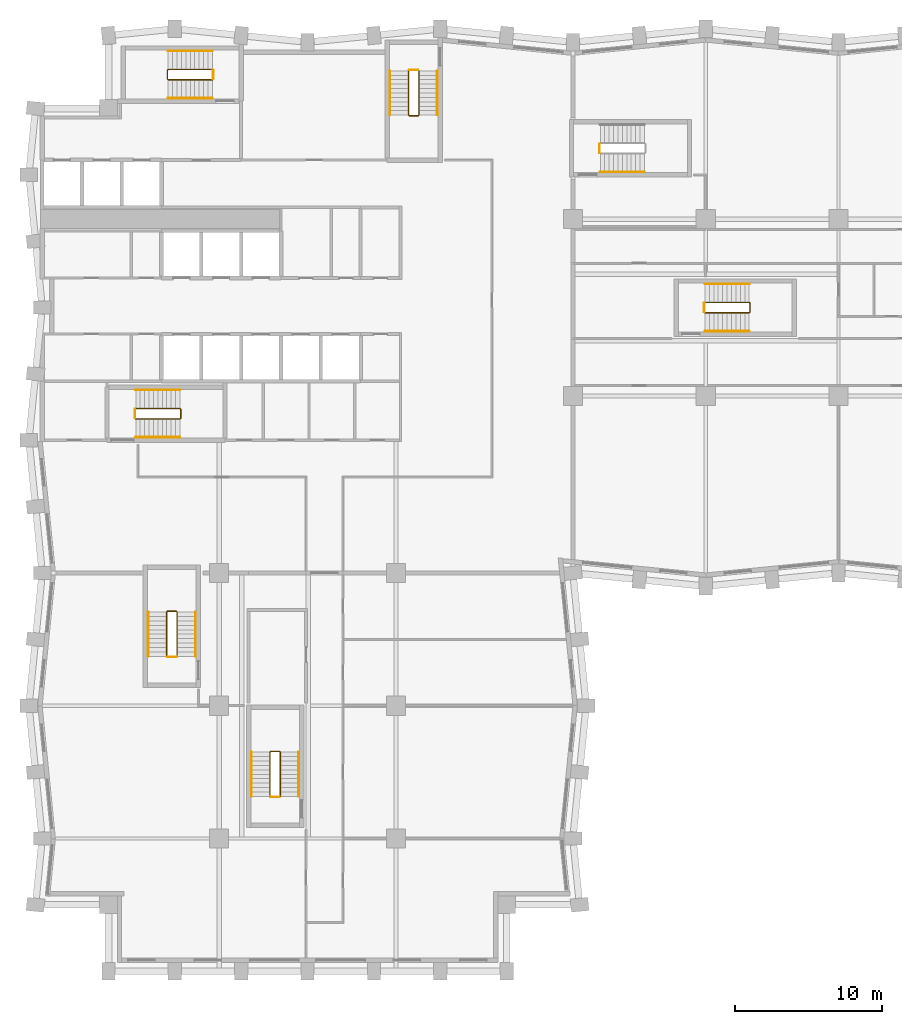
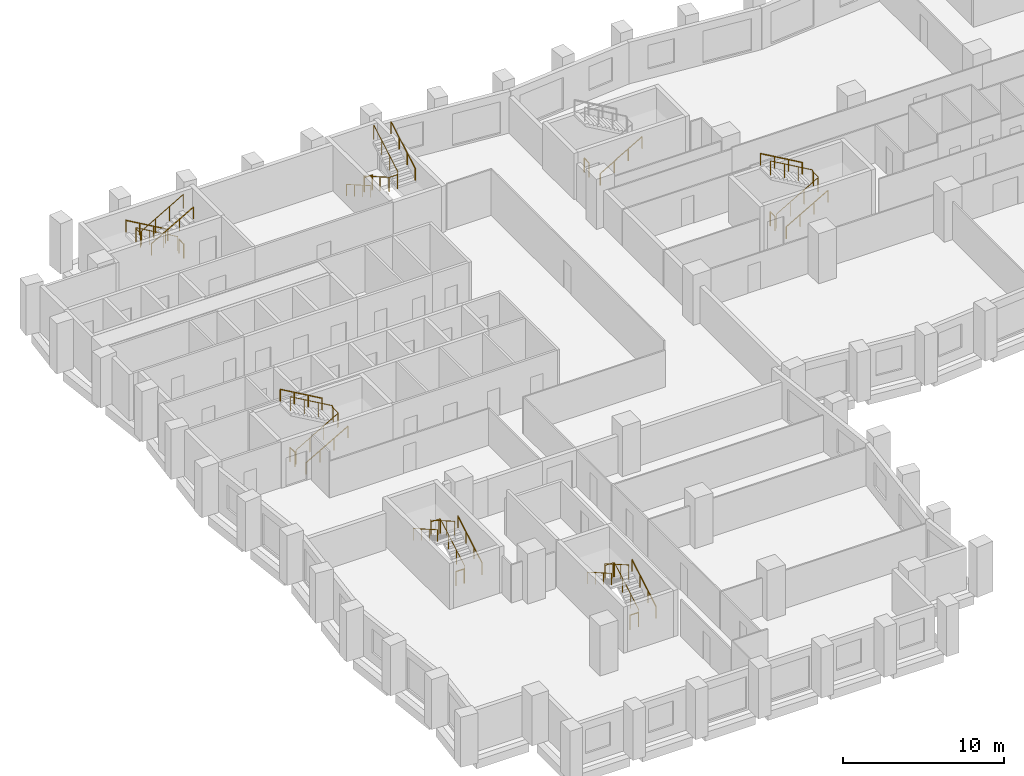
# One storey, part 10 of 11: 26 railings.
"""IFC4 building model written with IfcOpenShell, lengths in metres."""

from ifc_helpers import new_model, si_unit, direction, frame, origin, origin_2d, place, context, subcontext, project, spatial, circle, extrude, material, type_object, element, save


model = new_model("IFC4")

# Units and contexts
model_context = context("Model", 3, precision=1e-05, world=origin(), true_north=direction((0.0, 1.0)))
body_context = subcontext(model_context, "Body", "Model", "MODEL_VIEW")
ifc_project = project(units=[si_unit("LENGTHUNIT", "METRE"), si_unit("AREAUNIT", "SQUARE_METRE"), si_unit("VOLUMEUNIT", "CUBIC_METRE"), si_unit("PLANEANGLEUNIT", "RADIAN"), si_unit("MASSUNIT", "GRAM", prefix="KILO")], contexts=[model_context])

# Site, building, storey
site_placement = place(None, origin())
site = spatial("IfcSite", under=ifc_project, at=site_placement, CompositionType="ELEMENT")
building_placement = place(site_placement, origin())
building = spatial("IfcBuilding", under=site, at=building_placement, Name="Brondeck Convention Tower", CompositionType="ELEMENT")
storey_placement = place(building_placement, frame((0.0, 0.0, 103.699951171875)))
storey = spatial("IfcBuildingStorey", under=building, at=storey_placement, Name="L24", CompositionType="ELEMENT", Elevation=103.699951171875)

# Railings
ifc_material = material(Name="Steel S355", Category="steel")
railing_type_1 = type_object("IfcRailingType", Name="Stair guard 1100", PredefinedType="GUARDRAIL", material=ifc_material)
railing_1_placement = place(storey_placement, frame((6.35009765625, 37.449951171875, 0.1728515625)))
element("IfcRailing", 1, at=railing_1_placement, inside=storey, type_object=railing_type_1, Name="L24 ST-1 stair guard 1", PredefinedType="GUARDRAIL", context=body_context, shape_type="SweptSolid", body=[
    extrude(circle(Radius=0.02392578125, at=origin_2d()), frame((0.0, 0.0, 1.076171875), z_axis=(0.866619684472, 0.0, 0.498969260062), x_axis=(0.0, 1.0, 0.0)), (0.0, 0.0, 1.0), 3.461669921875),
    extrude(circle(Radius=0.02392578125, at=origin_2d()), frame((3.0, 0.0, 2.80322265625), z_axis=(0.705375805398, 0.708833529934, 0.0), x_axis=(-0.708833529934, 0.705375805398, 0.0)), (0.0, 0.0, 1.0), 0.070556640625),
    extrude(circle(Radius=0.02392578125, at=origin_2d()), frame((3.0498046875, 0.050048828125, 2.80322265625), z_axis=(0.0, 1.0, 0.0), x_axis=(-1.0, 0.0, 0.0)), (0.0, 0.0, 1.0), 0.60009765625),
    extrude(circle(Radius=0.02392578125, at=origin_2d()), frame((3.0498046875, 0.650146484375, 2.80322265625), z_axis=(-0.26715648603, 0.26715648603, 0.925880566782), x_axis=(-0.707106781187, -0.707106781187, 0.0)), (0.0, 0.0, 1.0), 0.1865234375),
    extrude(circle(Radius=0.02392578125, at=origin_2d()), frame((3.0, 0.699951171875, 2.97607421875), z_axis=(-0.866619684472, 0.0, 0.498969260062), x_axis=(0.0, -1.0, 0.0)), (0.0, 0.0, 1.0), 3.461669921875),
    extrude(circle(Radius=0.02099609375, at=origin_2d()), origin(), (0.0, 0.0, 1.0), 1.052001953125),
    extrude(circle(Radius=0.02099609375, at=origin_2d()), frame((1.0, 0.0, 0.57568359375)), (0.0, 0.0, 1.0), 1.052001953125),
    extrude(circle(Radius=0.02099609375, at=origin_2d()), frame((2.0, 0.0, 1.151611328125)), (0.0, 0.0, 1.0), 1.052001953125),
    extrude(circle(Radius=0.02099609375, at=origin_2d()), frame((3.0, 0.0, 1.727294921875)), (0.0, 0.0, 1.0), 1.052001953125),
    extrude(circle(Radius=0.02099609375, at=origin_2d()), frame((3.0498046875, 0.050048828125, 1.727294921875)), (0.0, 0.0, 1.0), 1.052001953125),
    extrude(circle(Radius=0.02099609375, at=origin_2d()), frame((3.0498046875, 0.650146484375, 1.727294921875)), (0.0, 0.0, 1.0), 1.052001953125),
    extrude(circle(Radius=0.02099609375, at=origin_2d()), frame((3.0, 0.699951171875, 1.89990234375)), (0.0, 0.0, 1.0), 1.052001953125),
    extrude(circle(Radius=0.02099609375, at=origin_2d()), frame((2.0, 0.699951171875, 2.4755859375)), (0.0, 0.0, 1.0), 1.052001953125),
    extrude(circle(Radius=0.02099609375, at=origin_2d()), frame((1.0, 0.699951171875, 3.051513671875)), (0.0, 0.0, 1.0), 1.052001953125),
    extrude(circle(Radius=0.02099609375, at=origin_2d()), frame((0.0, 0.699951171875, 3.627197265625)), (0.0, 0.0, 1.0), 1.052001953125),
])
railing_2_placement = place(storey_placement, frame((6.300048828125, 37.5, 0.0)))
element("IfcRailing", 2, at=railing_2_placement, inside=storey, type_object=railing_type_1, Name="L24 ST-1 stair guard 2", PredefinedType="GUARDRAIL", context=body_context, shape_type="SweptSolid", body=[
    extrude(circle(Radius=0.02392578125, at=origin_2d()), frame((0.0, 0.0, 1.076171875), z_axis=(0.0, 1.0, 0.0), x_axis=(-1.0, 0.0, 0.0)), (0.0, 0.0, 1.0), 0.60009765625),
    extrude(circle(Radius=0.02099609375, at=origin_2d()), origin(), (0.0, 0.0, 1.0), 1.052001953125),
    extrude(circle(Radius=0.02099609375, at=origin_2d()), frame((0.0, 0.60009765625, 0.0)), (0.0, 0.0, 1.0), 1.052001953125),
])
railing_3_placement = place(storey_placement, frame((24.85009765625, 61.050048828125, 0.1728515625)))
element("IfcRailing", 3, at=railing_3_placement, inside=storey, type_object=railing_type_1, Name="L24 ST-2 stair guard 1", PredefinedType="GUARDRAIL", context=body_context, shape_type="SweptSolid", body=[
    extrude(circle(Radius=0.02392578125, at=origin_2d()), frame((0.0, 0.0, 1.076171875), z_axis=(0.0, -0.866619684472, 0.498969260062), x_axis=(1.0, 0.0, 0.0)), (0.0, 0.0, 1.0), 3.461669921875),
    extrude(circle(Radius=0.02392578125, at=origin_2d()), frame((0.0, -3.0, 2.80322265625), z_axis=(0.705375805398, -0.708833529934, 0.0), x_axis=(0.708833529934, 0.705375805398, 0.0)), (0.0, 0.0, 1.0), 0.070556640625),
    extrude(circle(Radius=0.02392578125, at=origin_2d()), frame((0.0498046875, -3.050048828125, 2.80322265625), z_axis=(1.0, 0.0, 0.0), x_axis=(0.0, 1.0, 0.0)), (0.0, 0.0, 1.0), 0.60009765625),
    extrude(circle(Radius=0.02392578125, at=origin_2d()), frame((0.64990234375, -3.050048828125, 2.80322265625), z_axis=(0.268277960024, 0.268277960024, 0.925231793839), x_axis=(-0.707106781187, 0.707106781187, 0.0)), (0.0, 0.0, 1.0), 0.1865234375),
    extrude(circle(Radius=0.02392578125, at=origin_2d()), frame((0.699951171875, -3.0, 2.97607421875), z_axis=(0.0, 0.866619684472, 0.498969260062), x_axis=(-1.0, 0.0, 0.0)), (0.0, 0.0, 1.0), 3.461669921875),
    extrude(circle(Radius=0.02099609375, at=origin_2d()), origin(), (0.0, 0.0, 1.0), 1.052001953125),
    extrude(circle(Radius=0.02099609375, at=origin_2d()), frame((0.0, -1.0, 0.57568359375)), (0.0, 0.0, 1.0), 1.052001953125),
    extrude(circle(Radius=0.02099609375, at=origin_2d()), frame((0.0, -2.0, 1.151611328125)), (0.0, 0.0, 1.0), 1.052001953125),
    extrude(circle(Radius=0.02099609375, at=origin_2d()), frame((0.0, -3.0, 1.727294921875)), (0.0, 0.0, 1.0), 1.052001953125),
    extrude(circle(Radius=0.02099609375, at=origin_2d()), frame((0.0498046875, -3.050048828125, 1.727294921875)), (0.0, 0.0, 1.0), 1.052001953125),
    extrude(circle(Radius=0.02099609375, at=origin_2d()), frame((0.64990234375, -3.050048828125, 1.727294921875)), (0.0, 0.0, 1.0), 1.052001953125),
    extrude(circle(Radius=0.02099609375, at=origin_2d()), frame((0.699951171875, -3.0, 1.89990234375)), (0.0, 0.0, 1.0), 1.052001953125),
    extrude(circle(Radius=0.02099609375, at=origin_2d()), frame((0.699951171875, -2.0, 2.4755859375)), (0.0, 0.0, 1.0), 1.052001953125),
    extrude(circle(Radius=0.02099609375, at=origin_2d()), frame((0.699951171875, -1.0, 3.051513671875)), (0.0, 0.0, 1.0), 1.052001953125),
    extrude(circle(Radius=0.02099609375, at=origin_2d()), frame((0.699951171875, 0.0, 3.627197265625)), (0.0, 0.0, 1.0), 1.052001953125),
])
railing_4_placement = place(storey_placement, frame((24.89990234375, 61.10009765625, 0.0)))
element("IfcRailing", 4, at=railing_4_placement, inside=storey, type_object=railing_type_1, Name="L24 ST-2 stair guard 2", PredefinedType="GUARDRAIL", context=body_context, shape_type="SweptSolid", body=[
    extrude(circle(Radius=0.02392578125, at=origin_2d()), frame((0.0, 0.0, 1.076171875), z_axis=(1.0, 0.0, 0.0), x_axis=(0.0, 1.0, 0.0)), (0.0, 0.0, 1.0), 0.60009765625),
    extrude(circle(Radius=0.02099609375, at=origin_2d()), origin(), (0.0, 0.0, 1.0), 1.052001953125),
    extrude(circle(Radius=0.02099609375, at=origin_2d()), frame((0.60009765625, 0.0, 0.0)), (0.0, 0.0, 1.0), 1.052001953125),
])
railing_5_placement = place(storey_placement, frame((11.550048828125, 61.14990234375, 0.1728515625)))
element("IfcRailing", 5, at=railing_5_placement, inside=storey, type_object=railing_type_1, Name="L24 ST-3 stair guard 1", PredefinedType="GUARDRAIL", context=body_context, shape_type="SweptSolid", body=[
    extrude(circle(Radius=0.02392578125, at=origin_2d()), frame((0.0, 0.0, 1.076171875), z_axis=(-0.866619684472, 0.0, 0.498969260062), x_axis=(0.0, -1.0, 0.0)), (0.0, 0.0, 1.0), 3.461669921875),
    extrude(circle(Radius=0.02392578125, at=origin_2d()), frame((-3.0, 0.0, 2.80322265625), z_axis=(-0.708833529934, -0.705375805398, 0.0), x_axis=(0.705375805398, -0.708833529934, 0.0)), (0.0, 0.0, 1.0), 0.070556640625),
    extrude(circle(Radius=0.02392578125, at=origin_2d()), frame((-3.050048828125, -0.0498046875, 2.80322265625), z_axis=(0.0, -1.0, 0.0), x_axis=(1.0, 0.0, 0.0)), (0.0, 0.0, 1.0), 0.60009765625),
    extrude(circle(Radius=0.02392578125, at=origin_2d()), frame((-3.050048828125, -0.64990234375, 2.80322265625), z_axis=(0.268277960024, -0.268277960024, 0.925231793839), x_axis=(0.707106781187, 0.707106781187, 0.0)), (0.0, 0.0, 1.0), 0.1865234375),
    extrude(circle(Radius=0.02392578125, at=origin_2d()), frame((-3.0, -0.699951171875, 2.97607421875), z_axis=(0.866619684472, 0.0, 0.498969260062), x_axis=(0.0, 1.0, 0.0)), (0.0, 0.0, 1.0), 3.461669921875),
    extrude(circle(Radius=0.02099609375, at=origin_2d()), origin(), (0.0, 0.0, 1.0), 1.052001953125),
    extrude(circle(Radius=0.02099609375, at=origin_2d()), frame((-1.0, 0.0, 0.57568359375)), (0.0, 0.0, 1.0), 1.052001953125),
    extrude(circle(Radius=0.02099609375, at=origin_2d()), frame((-2.0, 0.0, 1.151611328125)), (0.0, 0.0, 1.0), 1.052001953125),
    extrude(circle(Radius=0.02099609375, at=origin_2d()), frame((-3.0, 0.0, 1.727294921875)), (0.0, 0.0, 1.0), 1.052001953125),
    extrude(circle(Radius=0.02099609375, at=origin_2d()), frame((-3.050048828125, -0.0498046875, 1.727294921875)), (0.0, 0.0, 1.0), 1.052001953125),
    extrude(circle(Radius=0.02099609375, at=origin_2d()), frame((-3.050048828125, -0.64990234375, 1.727294921875)), (0.0, 0.0, 1.0), 1.052001953125),
    extrude(circle(Radius=0.02099609375, at=origin_2d()), frame((-3.0, -0.699951171875, 1.89990234375)), (0.0, 0.0, 1.0), 1.052001953125),
    extrude(circle(Radius=0.02099609375, at=origin_2d()), frame((-2.0, -0.699951171875, 2.4755859375)), (0.0, 0.0, 1.0), 1.052001953125),
    extrude(circle(Radius=0.02099609375, at=origin_2d()), frame((-1.0, -0.699951171875, 3.051513671875)), (0.0, 0.0, 1.0), 1.052001953125),
    extrude(circle(Radius=0.02099609375, at=origin_2d()), frame((0.0, -0.699951171875, 3.627197265625)), (0.0, 0.0, 1.0), 1.052001953125),
])
railing_6_placement = place(storey_placement, frame((11.60009765625, 61.10009765625, 0.0)))
element("IfcRailing", 6, at=railing_6_placement, inside=storey, type_object=railing_type_1, Name="L24 ST-3 stair guard 2", PredefinedType="GUARDRAIL", context=body_context, shape_type="SweptSolid", body=[
    extrude(circle(Radius=0.02392578125, at=origin_2d()), frame((0.0, 0.0, 1.076171875), z_axis=(0.0, -1.0, 0.0), x_axis=(1.0, 0.0, 0.0)), (0.0, 0.0, 1.0), 0.60009765625),
    extrude(circle(Radius=0.02099609375, at=origin_2d()), origin(), (0.0, 0.0, 1.0), 1.052001953125),
    extrude(circle(Radius=0.02099609375, at=origin_2d()), frame((0.0, -0.60009765625, 0.0)), (0.0, 0.0, 1.0), 1.052001953125),
])
railing_7_placement = place(storey_placement, frame((37.800048828125, 55.5, 0.0)))
element("IfcRailing", 7, at=railing_7_placement, inside=storey, type_object=railing_type_1, Name="L24 ST-AE stair guard 2", PredefinedType="GUARDRAIL", context=body_context, shape_type="SweptSolid", body=[
    extrude(circle(Radius=0.02392578125, at=origin_2d()), frame((0.0, 0.0, 1.076171875), z_axis=(0.0, 1.0, 0.0), x_axis=(-1.0, 0.0, 0.0)), (0.0, 0.0, 1.0), 0.60009765625),
    extrude(circle(Radius=0.02099609375, at=origin_2d()), origin(), (0.0, 0.0, 1.0), 1.052001953125),
    extrude(circle(Radius=0.02099609375, at=origin_2d()), frame((0.0, 0.60009765625, 0.0)), (0.0, 0.0, 1.0), 1.052001953125),
])
railing_8_placement = place(storey_placement, frame((9.14990234375, 21.35009765625, 0.1728515625)))
element("IfcRailing", 8, at=railing_8_placement, inside=storey, type_object=railing_type_1, Name="L24 ST-BE stair guard 1", PredefinedType="GUARDRAIL", context=body_context, shape_type="SweptSolid", body=[
    extrude(circle(Radius=0.02392578125, at=origin_2d()), frame((0.0, 0.0, 1.076171875), z_axis=(0.0, 0.866619684472, 0.498969260062), x_axis=(-1.0, 0.0, 0.0)), (0.0, 0.0, 1.0), 3.461669921875),
    extrude(circle(Radius=0.02392578125, at=origin_2d()), frame((0.0, 3.0, 2.80322265625), z_axis=(-0.707106781187, 0.707106781187, 0.0), x_axis=(-0.707106781187, -0.707106781187, 0.0)), (0.0, 0.0, 1.0), 0.0703125),
    extrude(circle(Radius=0.02392578125, at=origin_2d()), frame((-0.0498046875, 3.0498046875, 2.80322265625), z_axis=(-1.0, 0.0, 0.0), x_axis=(0.0, -1.0, 0.0)), (0.0, 0.0, 1.0), 0.60009765625),
    extrude(circle(Radius=0.02392578125, at=origin_2d()), frame((-0.64990234375, 3.0498046875, 2.80322265625), z_axis=(-0.268371968888, -0.267062837333, 0.925556009775), x_axis=(0.705375805398, -0.708833529934, 0.0)), (0.0, 0.0, 1.0), 0.1865234375),
    extrude(circle(Radius=0.02392578125, at=origin_2d()), frame((-0.699951171875, 3.0, 2.97607421875), z_axis=(0.0, -0.866619684472, 0.498969260062), x_axis=(1.0, 0.0, 0.0)), (0.0, 0.0, 1.0), 3.461669921875),
    extrude(circle(Radius=0.02099609375, at=origin_2d()), origin(), (0.0, 0.0, 1.0), 1.052001953125),
    extrude(circle(Radius=0.02099609375, at=origin_2d()), frame((0.0, 1.0, 0.57568359375)), (0.0, 0.0, 1.0), 1.052001953125),
    extrude(circle(Radius=0.02099609375, at=origin_2d()), frame((0.0, 2.0, 1.151611328125)), (0.0, 0.0, 1.0), 1.052001953125),
    extrude(circle(Radius=0.02099609375, at=origin_2d()), frame((0.0, 3.0, 1.727294921875)), (0.0, 0.0, 1.0), 1.052001953125),
    extrude(circle(Radius=0.02099609375, at=origin_2d()), frame((-0.0498046875, 3.0498046875, 1.727294921875)), (0.0, 0.0, 1.0), 1.052001953125),
    extrude(circle(Radius=0.02099609375, at=origin_2d()), frame((-0.64990234375, 3.0498046875, 1.727294921875)), (0.0, 0.0, 1.0), 1.052001953125),
    extrude(circle(Radius=0.02099609375, at=origin_2d()), frame((-0.699951171875, 3.0, 1.89990234375)), (0.0, 0.0, 1.0), 1.052001953125),
    extrude(circle(Radius=0.02099609375, at=origin_2d()), frame((-0.699951171875, 2.0, 2.4755859375)), (0.0, 0.0, 1.0), 1.052001953125),
    extrude(circle(Radius=0.02099609375, at=origin_2d()), frame((-0.699951171875, 1.0, 3.051513671875)), (0.0, 0.0, 1.0), 1.052001953125),
    extrude(circle(Radius=0.02099609375, at=origin_2d()), frame((-0.699951171875, 0.0, 3.627197265625)), (0.0, 0.0, 1.0), 1.052001953125),
])
railing_9_placement = place(storey_placement, frame((9.10009765625, 21.300048828125, 0.0)))
element("IfcRailing", 9, at=railing_9_placement, inside=storey, type_object=railing_type_1, Name="L24 ST-BE stair guard 2", PredefinedType="GUARDRAIL", context=body_context, shape_type="SweptSolid", body=[
    extrude(circle(Radius=0.02392578125, at=origin_2d()), frame((0.0, 0.0, 1.076171875), z_axis=(-1.0, 0.0, 0.0), x_axis=(0.0, -1.0, 0.0)), (0.0, 0.0, 1.0), 0.60009765625),
    extrude(circle(Radius=0.02099609375, at=origin_2d()), origin(), (0.0, 0.0, 1.0), 1.052001953125),
    extrude(circle(Radius=0.02099609375, at=origin_2d()), frame((-0.60009765625, 0.0, 0.0)), (0.0, 0.0, 1.0), 1.052001953125),
])
railing_10_placement = place(storey_placement, frame((44.949951171875, 44.64990234375, 0.1728515625)))
element("IfcRailing", 10, at=railing_10_placement, inside=storey, type_object=railing_type_1, Name="L24 ST-AF stair guard 1", PredefinedType="GUARDRAIL", context=body_context, shape_type="SweptSolid", body=[
    extrude(circle(Radius=0.02392578125, at=origin_2d()), frame((0.0, 0.0, 1.076171875), z_axis=(0.866619684472, 0.0, 0.498969260062), x_axis=(0.0, 1.0, 0.0)), (0.0, 0.0, 1.0), 3.461669921875),
    extrude(circle(Radius=0.02392578125, at=origin_2d()), frame((3.0, 0.0, 2.80322265625), z_axis=(0.707106781187, 0.707106781187, 0.0), x_axis=(-0.707106781187, 0.707106781187, 0.0)), (0.0, 0.0, 1.0), 0.07080078125),
    extrude(circle(Radius=0.02392578125, at=origin_2d()), frame((3.050048828125, 0.050048828125, 2.80322265625), z_axis=(0.0, 1.0, 0.0), x_axis=(-1.0, 0.0, 0.0)), (0.0, 0.0, 1.0), 0.60009765625),
    extrude(circle(Radius=0.02392578125, at=origin_2d()), frame((3.050048828125, 0.650146484375, 2.80322265625), z_axis=(-0.268277960024, 0.268277960024, 0.925231793839), x_axis=(-0.707106781187, -0.707106781187, 0.0)), (0.0, 0.0, 1.0), 0.1865234375),
    extrude(circle(Radius=0.02392578125, at=origin_2d()), frame((3.0, 0.7001953125, 2.97607421875), z_axis=(-0.866619684472, 0.0, 0.498969260062), x_axis=(0.0, -1.0, 0.0)), (0.0, 0.0, 1.0), 3.461669921875),
    extrude(circle(Radius=0.02099609375, at=origin_2d()), origin(), (0.0, 0.0, 1.0), 1.052001953125),
    extrude(circle(Radius=0.02099609375, at=origin_2d()), frame((1.0, 0.0, 0.57568359375)), (0.0, 0.0, 1.0), 1.052001953125),
    extrude(circle(Radius=0.02099609375, at=origin_2d()), frame((2.0, 0.0, 1.151611328125)), (0.0, 0.0, 1.0), 1.052001953125),
    extrude(circle(Radius=0.02099609375, at=origin_2d()), frame((3.0, 0.0, 1.727294921875)), (0.0, 0.0, 1.0), 1.052001953125),
    extrude(circle(Radius=0.02099609375, at=origin_2d()), frame((3.050048828125, 0.050048828125, 1.727294921875)), (0.0, 0.0, 1.0), 1.052001953125),
    extrude(circle(Radius=0.02099609375, at=origin_2d()), frame((3.050048828125, 0.650146484375, 1.727294921875)), (0.0, 0.0, 1.0), 1.052001953125),
    extrude(circle(Radius=0.02099609375, at=origin_2d()), frame((3.0, 0.7001953125, 1.89990234375)), (0.0, 0.0, 1.0), 1.052001953125),
    extrude(circle(Radius=0.02099609375, at=origin_2d()), frame((2.0, 0.7001953125, 2.4755859375)), (0.0, 0.0, 1.0), 1.052001953125),
    extrude(circle(Radius=0.02099609375, at=origin_2d()), frame((1.0, 0.7001953125, 3.051513671875)), (0.0, 0.0, 1.0), 1.052001953125),
    extrude(circle(Radius=0.02099609375, at=origin_2d()), frame((0.0, 0.7001953125, 3.627197265625)), (0.0, 0.0, 1.0), 1.052001953125),
])
railing_11_placement = place(storey_placement, frame((44.89990234375, 44.699951171875, 0.0)))
element("IfcRailing", 11, at=railing_11_placement, inside=storey, type_object=railing_type_1, Name="L24 ST-AF stair guard 2", PredefinedType="GUARDRAIL", context=body_context, shape_type="SweptSolid", body=[
    extrude(circle(Radius=0.02392578125, at=origin_2d()), frame((0.0, 0.0, 1.076171875), z_axis=(0.0, 1.0, 0.0), x_axis=(-1.0, 0.0, 0.0)), (0.0, 0.0, 1.0), 0.60009765625),
    extrude(circle(Radius=0.02099609375, at=origin_2d()), origin(), (0.0, 0.0, 1.0), 1.052001953125),
    extrude(circle(Radius=0.02099609375, at=origin_2d()), frame((0.0, 0.60009765625, 0.0)), (0.0, 0.0, 1.0), 1.052001953125),
])
railing_12_placement = place(storey_placement, frame((16.14990234375, 11.85009765625, 0.1728515625)))
element("IfcRailing", 12, at=railing_12_placement, inside=storey, type_object=railing_type_1, Name="L24 ST-BF stair guard 1", PredefinedType="GUARDRAIL", context=body_context, shape_type="SweptSolid", body=[
    extrude(circle(Radius=0.02392578125, at=origin_2d()), frame((0.0, 0.0, 1.076171875), z_axis=(0.0, 0.866619684472, 0.498969260062), x_axis=(-1.0, 0.0, 0.0)), (0.0, 0.0, 1.0), 3.461669921875),
    extrude(circle(Radius=0.02392578125, at=origin_2d()), frame((0.0, 3.0, 2.80322265625), z_axis=(-0.707106781187, 0.707106781187, 0.0), x_axis=(-0.707106781187, -0.707106781187, 0.0)), (0.0, 0.0, 1.0), 0.0703125),
    extrude(circle(Radius=0.02392578125, at=origin_2d()), frame((-0.0498046875, 3.0498046875, 2.80322265625), z_axis=(-1.0, 0.0, 0.0), x_axis=(0.0, -1.0, 0.0)), (0.0, 0.0, 1.0), 0.60009765625),
    extrude(circle(Radius=0.02392578125, at=origin_2d()), frame((-0.64990234375, 3.0498046875, 2.80322265625), z_axis=(-0.268371968888, -0.267062837333, 0.925556009775), x_axis=(0.705375805398, -0.708833529934, 0.0)), (0.0, 0.0, 1.0), 0.1865234375),
    extrude(circle(Radius=0.02392578125, at=origin_2d()), frame((-0.699951171875, 3.0, 2.97607421875), z_axis=(0.0, -0.866619684472, 0.498969260062), x_axis=(1.0, 0.0, 0.0)), (0.0, 0.0, 1.0), 3.461669921875),
    extrude(circle(Radius=0.02099609375, at=origin_2d()), origin(), (0.0, 0.0, 1.0), 1.052001953125),
    extrude(circle(Radius=0.02099609375, at=origin_2d()), frame((0.0, 1.0, 0.57568359375)), (0.0, 0.0, 1.0), 1.052001953125),
    extrude(circle(Radius=0.02099609375, at=origin_2d()), frame((0.0, 2.0, 1.151611328125)), (0.0, 0.0, 1.0), 1.052001953125),
    extrude(circle(Radius=0.02099609375, at=origin_2d()), frame((0.0, 3.0, 1.727294921875)), (0.0, 0.0, 1.0), 1.052001953125),
    extrude(circle(Radius=0.02099609375, at=origin_2d()), frame((-0.0498046875, 3.0498046875, 1.727294921875)), (0.0, 0.0, 1.0), 1.052001953125),
    extrude(circle(Radius=0.02099609375, at=origin_2d()), frame((-0.64990234375, 3.0498046875, 1.727294921875)), (0.0, 0.0, 1.0), 1.052001953125),
    extrude(circle(Radius=0.02099609375, at=origin_2d()), frame((-0.699951171875, 3.0, 1.89990234375)), (0.0, 0.0, 1.0), 1.052001953125),
    extrude(circle(Radius=0.02099609375, at=origin_2d()), frame((-0.699951171875, 2.0, 2.4755859375)), (0.0, 0.0, 1.0), 1.052001953125),
    extrude(circle(Radius=0.02099609375, at=origin_2d()), frame((-0.699951171875, 1.0, 3.051513671875)), (0.0, 0.0, 1.0), 1.052001953125),
    extrude(circle(Radius=0.02099609375, at=origin_2d()), frame((-0.699951171875, 0.0, 3.627197265625)), (0.0, 0.0, 1.0), 1.052001953125),
])
railing_13_placement = place(storey_placement, frame((16.10009765625, 11.800048828125, 0.0)))
element("IfcRailing", 13, at=railing_13_placement, inside=storey, type_object=railing_type_1, Name="L24 ST-BF stair guard 2", PredefinedType="GUARDRAIL", context=body_context, shape_type="SweptSolid", body=[
    extrude(circle(Radius=0.02392578125, at=origin_2d()), frame((0.0, 0.0, 1.076171875), z_axis=(-1.0, 0.0, 0.0), x_axis=(0.0, -1.0, 0.0)), (0.0, 0.0, 1.0), 0.60009765625),
    extrude(circle(Radius=0.02099609375, at=origin_2d()), origin(), (0.0, 0.0, 1.0), 1.052001953125),
    extrude(circle(Radius=0.02099609375, at=origin_2d()), frame((-0.60009765625, 0.0, 0.0)), (0.0, 0.0, 1.0), 1.052001953125),
])
railing_type_2 = type_object("IfcRailingType", Name="Stair handrail", PredefinedType="HANDRAIL", material=ifc_material)
railing_14_placement = place(storey_placement, frame((6.35009765625, 36.199951171875, 0.1728515625)))
element("IfcRailing", 14, at=railing_14_placement, inside=storey, type_object=railing_type_2, Name="L24 ST-1 stair handrail 1", PredefinedType="HANDRAIL", context=body_context, shape_type="SweptSolid", body=[
    extrude(circle(Radius=0.02392578125, at=origin_2d()), frame((0.0, 0.0, 0.8759765625), z_axis=(0.866619684472, 0.0, 0.498969260062), x_axis=(0.0, 1.0, 0.0)), (0.0, 0.0, 1.0), 3.461669921875),
    extrude(circle(Radius=0.02099609375, at=origin_2d()), origin(), (0.0, 0.0, 1.0), 0.851806640625),
    extrude(circle(Radius=0.02099609375, at=origin_2d()), frame((1.0, 0.0, 0.57568359375)), (0.0, 0.0, 1.0), 0.851806640625),
    extrude(circle(Radius=0.02099609375, at=origin_2d()), frame((2.0, 0.0, 1.151611328125)), (0.0, 0.0, 1.0), 0.851806640625),
    extrude(circle(Radius=0.02099609375, at=origin_2d()), frame((3.0, 0.0, 1.727294921875)), (0.0, 0.0, 1.0), 0.851806640625),
])
railing_15_placement = place(storey_placement, frame((9.35009765625, 39.39990234375, 2.07275390625)))
element("IfcRailing", 15, at=railing_15_placement, inside=storey, type_object=railing_type_2, Name="L24 ST-1 stair handrail 2", PredefinedType="HANDRAIL", context=body_context, shape_type="SweptSolid", body=[
    extrude(circle(Radius=0.02392578125, at=origin_2d()), frame((0.0, 0.0, 0.8759765625), z_axis=(-0.866619684472, 0.0, 0.498969260062), x_axis=(0.0, -1.0, 0.0)), (0.0, 0.0, 1.0), 3.461669921875),
    extrude(circle(Radius=0.02099609375, at=origin_2d()), origin(), (0.0, 0.0, 1.0), 0.851806640625),
    extrude(circle(Radius=0.02099609375, at=origin_2d()), frame((-1.0, 0.0, 0.57568359375)), (0.0, 0.0, 1.0), 0.851806640625),
    extrude(circle(Radius=0.02099609375, at=origin_2d()), frame((-2.0, 0.0, 1.151611328125)), (0.0, 0.0, 1.0), 0.851806640625),
    extrude(circle(Radius=0.02099609375, at=origin_2d()), frame((-3.0, 0.0, 1.727294921875)), (0.0, 0.0, 1.0), 0.851806640625),
])
railing_16_placement = place(storey_placement, frame((23.60009765625, 61.050048828125, 0.1728515625)))
element("IfcRailing", 16, at=railing_16_placement, inside=storey, type_object=railing_type_2, Name="L24 ST-2 stair handrail 1", PredefinedType="HANDRAIL", context=body_context, shape_type="SweptSolid", body=[
    extrude(circle(Radius=0.02392578125, at=origin_2d()), frame((0.0, 0.0, 0.8759765625), z_axis=(0.0, -0.866619684472, 0.498969260062), x_axis=(1.0, 0.0, 0.0)), (0.0, 0.0, 1.0), 3.461669921875),
    extrude(circle(Radius=0.02099609375, at=origin_2d()), origin(), (0.0, 0.0, 1.0), 0.851806640625),
    extrude(circle(Radius=0.02099609375, at=origin_2d()), frame((0.0, -1.0, 0.57568359375)), (0.0, 0.0, 1.0), 0.851806640625),
    extrude(circle(Radius=0.02099609375, at=origin_2d()), frame((0.0, -2.0, 1.151611328125)), (0.0, 0.0, 1.0), 0.851806640625),
    extrude(circle(Radius=0.02099609375, at=origin_2d()), frame((0.0, -3.0, 1.727294921875)), (0.0, 0.0, 1.0), 0.851806640625),
])
railing_17_placement = place(storey_placement, frame((26.800048828125, 58.050048828125, 2.07275390625)))
element("IfcRailing", 17, at=railing_17_placement, inside=storey, type_object=railing_type_2, Name="L24 ST-2 stair handrail 2", PredefinedType="HANDRAIL", context=body_context, shape_type="SweptSolid", body=[
    extrude(circle(Radius=0.02392578125, at=origin_2d()), frame((0.0, 0.0, 0.8759765625), z_axis=(0.0, 0.866619684472, 0.498969260062), x_axis=(-1.0, 0.0, 0.0)), (0.0, 0.0, 1.0), 3.461669921875),
    extrude(circle(Radius=0.02099609375, at=origin_2d()), origin(), (0.0, 0.0, 1.0), 0.851806640625),
    extrude(circle(Radius=0.02099609375, at=origin_2d()), frame((0.0, 1.0, 0.57568359375)), (0.0, 0.0, 1.0), 0.851806640625),
    extrude(circle(Radius=0.02099609375, at=origin_2d()), frame((0.0, 2.0, 1.151611328125)), (0.0, 0.0, 1.0), 0.851806640625),
    extrude(circle(Radius=0.02099609375, at=origin_2d()), frame((0.0, 3.0, 1.727294921875)), (0.0, 0.0, 1.0), 0.851806640625),
])
railing_18_placement = place(storey_placement, frame((11.550048828125, 62.39990234375, 0.1728515625)))
element("IfcRailing", 18, at=railing_18_placement, inside=storey, type_object=railing_type_2, Name="L24 ST-3 stair handrail 1", PredefinedType="HANDRAIL", context=body_context, shape_type="SweptSolid", body=[
    extrude(circle(Radius=0.02392578125, at=origin_2d()), frame((0.0, 0.0, 0.8759765625), z_axis=(-0.866619684472, 0.0, 0.498969260062), x_axis=(0.0, -1.0, 0.0)), (0.0, 0.0, 1.0), 3.461669921875),
    extrude(circle(Radius=0.02099609375, at=origin_2d()), origin(), (0.0, 0.0, 1.0), 0.851806640625),
    extrude(circle(Radius=0.02099609375, at=origin_2d()), frame((-1.0, 0.0, 0.57568359375)), (0.0, 0.0, 1.0), 0.851806640625),
    extrude(circle(Radius=0.02099609375, at=origin_2d()), frame((-2.0, 0.0, 1.151611328125)), (0.0, 0.0, 1.0), 0.851806640625),
    extrude(circle(Radius=0.02099609375, at=origin_2d()), frame((-3.0, 0.0, 1.727294921875)), (0.0, 0.0, 1.0), 0.851806640625),
])
for number, where, name in (
    (19, (8.550048828125, 59.199951171875, 2.07275390625), "L24 ST-3 stair handrail 2"),
    (20, (37.85009765625, 54.199951171875, 0.1728515625), "L24 ST-AE stair handrail 1"),
):
    element("IfcRailing", number, at=place(storey_placement, frame(where)), inside=storey, type_object=railing_type_2, Name=name, PredefinedType="HANDRAIL", context=body_context, shape_type="SweptSolid", body=[
        extrude(circle(Radius=0.02392578125, at=origin_2d()), frame((0.0, 0.0, 0.8759765625), z_axis=(0.866619684472, 0.0, 0.498969260062), x_axis=(0.0, 1.0, 0.0)), (0.0, 0.0, 1.0), 3.461669921875),
        extrude(circle(Radius=0.02099609375, at=origin_2d()), origin(), (0.0, 0.0, 1.0), 0.851806640625),
        extrude(circle(Radius=0.02099609375, at=origin_2d()), frame((1.0, 0.0, 0.57568359375)), (0.0, 0.0, 1.0), 0.851806640625),
        extrude(circle(Radius=0.02099609375, at=origin_2d()), frame((2.0, 0.0, 1.151611328125)), (0.0, 0.0, 1.0), 0.851806640625),
        extrude(circle(Radius=0.02099609375, at=origin_2d()), frame((3.0, 0.0, 1.727294921875)), (0.0, 0.0, 1.0), 0.851806640625),
    ])
railing_19_placement = place(storey_placement, frame((10.39990234375, 21.35009765625, 0.1728515625)))
element("IfcRailing", 21, at=railing_19_placement, inside=storey, type_object=railing_type_2, Name="L24 ST-BE stair handrail 1", PredefinedType="HANDRAIL", context=body_context, shape_type="SweptSolid", body=[
    extrude(circle(Radius=0.02392578125, at=origin_2d()), frame((0.0, 0.0, 0.8759765625), z_axis=(0.0, 0.866619684472, 0.498969260062), x_axis=(-1.0, 0.0, 0.0)), (0.0, 0.0, 1.0), 3.461669921875),
    extrude(circle(Radius=0.02099609375, at=origin_2d()), origin(), (0.0, 0.0, 1.0), 0.851806640625),
    extrude(circle(Radius=0.02099609375, at=origin_2d()), frame((0.0, 1.0, 0.57568359375)), (0.0, 0.0, 1.0), 0.851806640625),
    extrude(circle(Radius=0.02099609375, at=origin_2d()), frame((0.0, 2.0, 1.151611328125)), (0.0, 0.0, 1.0), 0.851806640625),
    extrude(circle(Radius=0.02099609375, at=origin_2d()), frame((0.0, 3.0, 1.727294921875)), (0.0, 0.0, 1.0), 0.851806640625),
])
railing_20_placement = place(storey_placement, frame((7.199951171875, 24.35009765625, 2.07275390625)))
element("IfcRailing", 22, at=railing_20_placement, inside=storey, type_object=railing_type_2, Name="L24 ST-BE stair handrail 2", PredefinedType="HANDRAIL", context=body_context, shape_type="SweptSolid", body=[
    extrude(circle(Radius=0.02392578125, at=origin_2d()), frame((0.0, 0.0, 0.8759765625), z_axis=(0.0, -0.866619684472, 0.498969260062), x_axis=(1.0, 0.0, 0.0)), (0.0, 0.0, 1.0), 3.461669921875),
    extrude(circle(Radius=0.02099609375, at=origin_2d()), origin(), (0.0, 0.0, 1.0), 0.851806640625),
    extrude(circle(Radius=0.02099609375, at=origin_2d()), frame((0.0, -1.0, 0.57568359375)), (0.0, 0.0, 1.0), 0.851806640625),
    extrude(circle(Radius=0.02099609375, at=origin_2d()), frame((0.0, -2.0, 1.151611328125)), (0.0, 0.0, 1.0), 0.851806640625),
    extrude(circle(Radius=0.02099609375, at=origin_2d()), frame((0.0, -3.0, 1.727294921875)), (0.0, 0.0, 1.0), 0.851806640625),
])
railing_21_placement = place(storey_placement, frame((44.949951171875, 43.39990234375, 0.1728515625)))
element("IfcRailing", 23, at=railing_21_placement, inside=storey, type_object=railing_type_2, Name="L24 ST-AF stair handrail 1", PredefinedType="HANDRAIL", context=body_context, shape_type="SweptSolid", body=[
    extrude(circle(Radius=0.02392578125, at=origin_2d()), frame((0.0, 0.0, 0.8759765625), z_axis=(0.866619684472, 0.0, 0.498969260062), x_axis=(0.0, 1.0, 0.0)), (0.0, 0.0, 1.0), 3.461669921875),
    extrude(circle(Radius=0.02099609375, at=origin_2d()), origin(), (0.0, 0.0, 1.0), 0.851806640625),
    extrude(circle(Radius=0.02099609375, at=origin_2d()), frame((1.0, 0.0, 0.57568359375)), (0.0, 0.0, 1.0), 0.851806640625),
    extrude(circle(Radius=0.02099609375, at=origin_2d()), frame((2.0, 0.0, 1.151611328125)), (0.0, 0.0, 1.0), 0.851806640625),
    extrude(circle(Radius=0.02099609375, at=origin_2d()), frame((3.0, 0.0, 1.727294921875)), (0.0, 0.0, 1.0), 0.851806640625),
])
railing_22_placement = place(storey_placement, frame((47.949951171875, 46.60009765625, 2.07275390625)))
element("IfcRailing", 24, at=railing_22_placement, inside=storey, type_object=railing_type_2, Name="L24 ST-AF stair handrail 2", PredefinedType="HANDRAIL", context=body_context, shape_type="SweptSolid", body=[
    extrude(circle(Radius=0.02392578125, at=origin_2d()), frame((0.0, 0.0, 0.8759765625), z_axis=(-0.866619684472, 0.0, 0.498969260062), x_axis=(0.0, -1.0, 0.0)), (0.0, 0.0, 1.0), 3.461669921875),
    extrude(circle(Radius=0.02099609375, at=origin_2d()), origin(), (0.0, 0.0, 1.0), 0.851806640625),
    extrude(circle(Radius=0.02099609375, at=origin_2d()), frame((-1.0, 0.0, 0.57568359375)), (0.0, 0.0, 1.0), 0.851806640625),
    extrude(circle(Radius=0.02099609375, at=origin_2d()), frame((-2.0, 0.0, 1.151611328125)), (0.0, 0.0, 1.0), 0.851806640625),
    extrude(circle(Radius=0.02099609375, at=origin_2d()), frame((-3.0, 0.0, 1.727294921875)), (0.0, 0.0, 1.0), 0.851806640625),
])
railing_23_placement = place(storey_placement, frame((17.39990234375, 11.85009765625, 0.1728515625)))
element("IfcRailing", 25, at=railing_23_placement, inside=storey, type_object=railing_type_2, Name="L24 ST-BF stair handrail 1", PredefinedType="HANDRAIL", context=body_context, shape_type="SweptSolid", body=[
    extrude(circle(Radius=0.02392578125, at=origin_2d()), frame((0.0, 0.0, 0.8759765625), z_axis=(0.0, 0.866619684472, 0.498969260062), x_axis=(-1.0, 0.0, 0.0)), (0.0, 0.0, 1.0), 3.461669921875),
    extrude(circle(Radius=0.02099609375, at=origin_2d()), origin(), (0.0, 0.0, 1.0), 0.851806640625),
    extrude(circle(Radius=0.02099609375, at=origin_2d()), frame((0.0, 1.0, 0.57568359375)), (0.0, 0.0, 1.0), 0.851806640625),
    extrude(circle(Radius=0.02099609375, at=origin_2d()), frame((0.0, 2.0, 1.151611328125)), (0.0, 0.0, 1.0), 0.851806640625),
    extrude(circle(Radius=0.02099609375, at=origin_2d()), frame((0.0, 3.0, 1.727294921875)), (0.0, 0.0, 1.0), 0.851806640625),
])
railing_24_placement = place(storey_placement, frame((14.199951171875, 14.85009765625, 2.07275390625)))
element("IfcRailing", 26, at=railing_24_placement, inside=storey, type_object=railing_type_2, Name="L24 ST-BF stair handrail 2", PredefinedType="HANDRAIL", context=body_context, shape_type="SweptSolid", body=[
    extrude(circle(Radius=0.02392578125, at=origin_2d()), frame((0.0, 0.0, 0.8759765625), z_axis=(0.0, -0.866619684472, 0.498969260062), x_axis=(1.0, 0.0, 0.0)), (0.0, 0.0, 1.0), 3.461669921875),
    extrude(circle(Radius=0.02099609375, at=origin_2d()), origin(), (0.0, 0.0, 1.0), 0.851806640625),
    extrude(circle(Radius=0.02099609375, at=origin_2d()), frame((0.0, -1.0, 0.57568359375)), (0.0, 0.0, 1.0), 0.851806640625),
    extrude(circle(Radius=0.02099609375, at=origin_2d()), frame((0.0, -2.0, 1.151611328125)), (0.0, 0.0, 1.0), 0.851806640625),
    extrude(circle(Radius=0.02099609375, at=origin_2d()), frame((0.0, -3.0, 1.727294921875)), (0.0, 0.0, 1.0), 0.851806640625),
])

save(model, "model.ifc")
